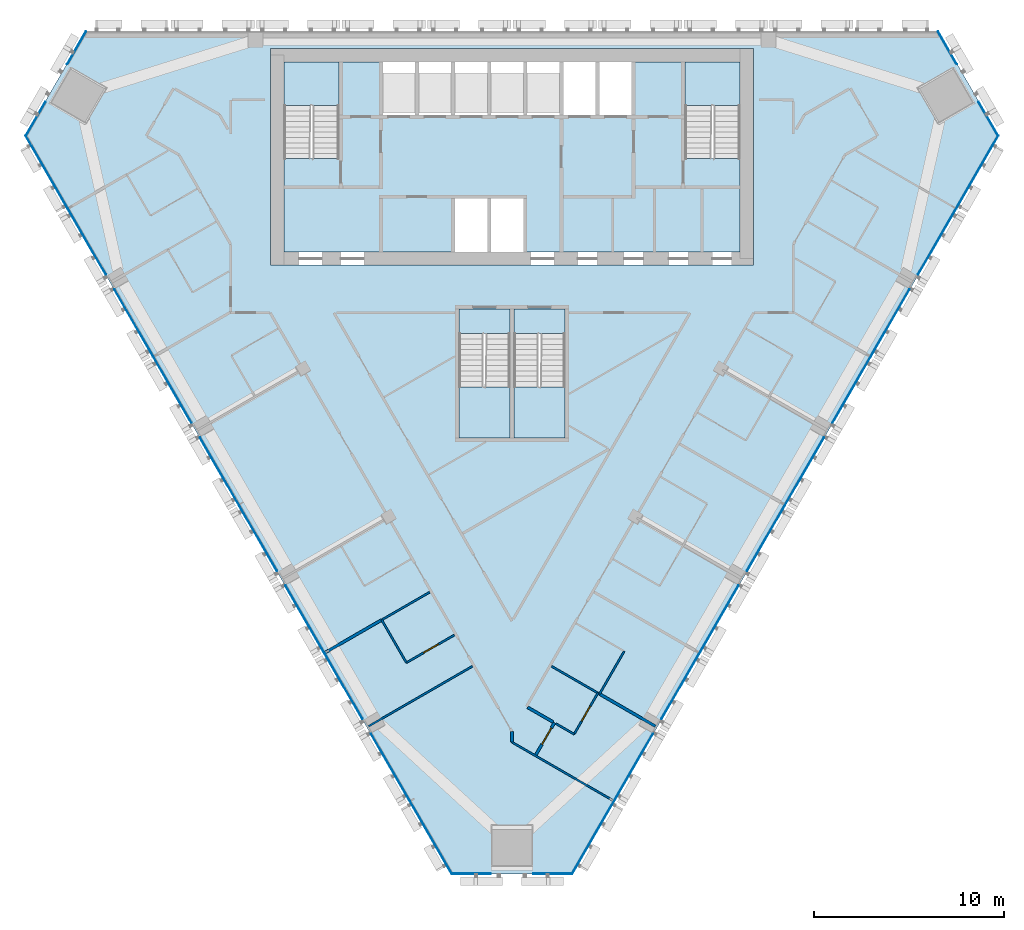
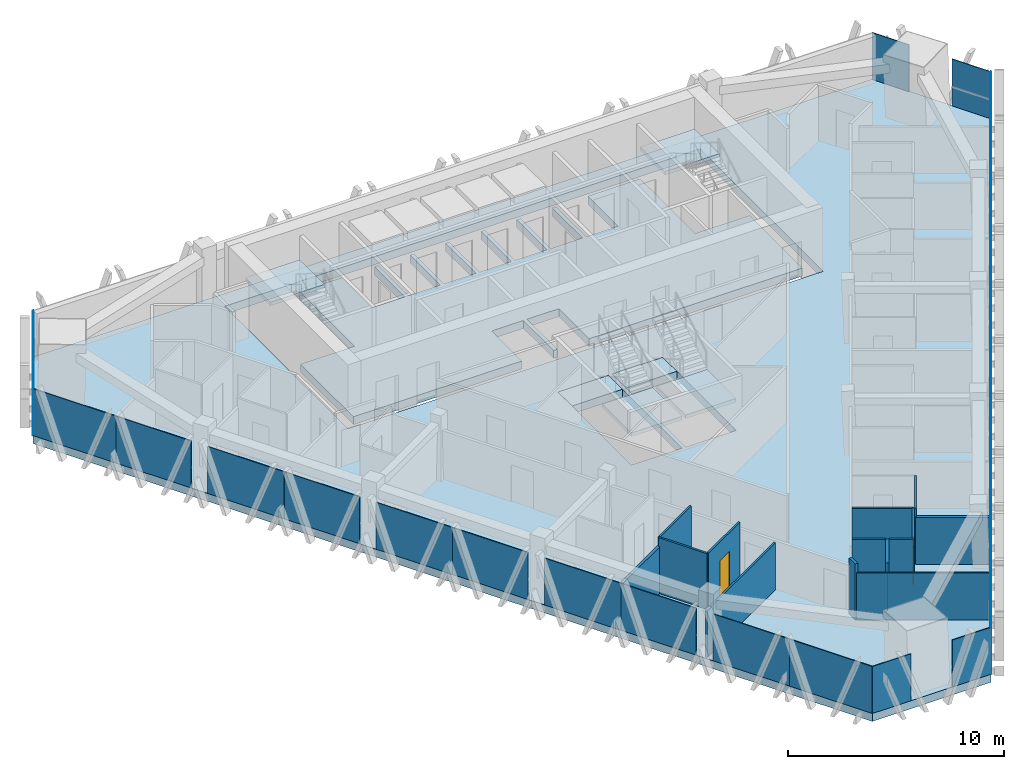
# One storey, part 8 of 16: 26 plates, 14 walls, 8 slabs, 3 doors, 3 openings, 9 elements without a shape of their own.
"""IFC4 building model written with IfcOpenShell, lengths in metres."""

from ifc_helpers import new_model, si_unit, direction, frame, frame_2d, origin, origin_2d, place, context, subcontext, project, spatial, polyline, rectangle, outline, extrude, material, layer, layer_set, type_object, element, fill, aggregate, save


model = new_model("IFC4")

# Units and contexts
model_context = context("Model", 3, precision=1e-05, world=origin(), true_north=direction((0.0, 1.0)))
body_context = subcontext(model_context, "Body", "Model", "MODEL_VIEW")
ifc_project = project(units=[si_unit("LENGTHUNIT", "METRE"), si_unit("AREAUNIT", "SQUARE_METRE"), si_unit("VOLUMEUNIT", "CUBIC_METRE"), si_unit("PLANEANGLEUNIT", "RADIAN"), si_unit("MASSUNIT", "GRAM", prefix="KILO")], contexts=[model_context])

# Site, building, storey
site_placement = place(None, origin())
site = spatial("IfcSite", under=ifc_project, at=site_placement, CompositionType="ELEMENT")
building_placement = place(site_placement, origin())
building = spatial("IfcBuilding", under=site, at=building_placement, Name="Altiplano Prism Tower", CompositionType="ELEMENT")
storey_placement = place(building_placement, frame((0.0, 0.0, 198.0)))
storey = spatial("IfcBuildingStorey", under=building, at=storey_placement, Name="L51", CompositionType="ELEMENT", Elevation=198.0)

# Curtain wall, plates
ifc_material_1 = material(Name="Aluminium and glass", Category="aluminium")
ifc_layer_1 = layer(ifc_material_1, 0.280029296875)
ifc_layer_set_1 = layer_set([ifc_layer_1], Name="Aluminium and glass")
curtain_wall_type = type_object("IfcCurtainWallType", Name="CW1 typical co-living unitised curtain wall", PredefinedType="NOTDEFINED", material=ifc_layer_set_1)
curtain_wall_1_placement = place(storey_placement, origin())
curtain_wall_1 = element("IfcCurtainWall", 1, at=curtain_wall_1_placement, inside=storey, type_object=curtain_wall_type, Name="CW1 curtain wall north-west chamfer L51", PredefinedType="NOTDEFINED")
ifc_material_2 = material(Name="Clear glass", Category="glass")
ifc_layer_2 = layer(ifc_material_2, 0.0400390625)
ifc_layer_set_2 = layer_set([ifc_layer_2], Name="Clear glass")
plate_type = type_object("IfcPlateType", Name="CW1 insulated glass unit 40", PredefinedType="CURTAIN_PANEL", material=ifc_layer_set_2)
plate_1_placement = place(storey_placement, frame((62.089111328125, 104.12744140625, 0.0), z_axis=(0.0, 0.0, 1.0), x_axis=(-0.500000041748, -0.866025379681, 0.0)))
plate_1 = element("IfcPlate", 2, at=plate_1_placement, type_object=plate_type, Name="CW1 panel", PredefinedType="CURTAIN_PANEL", context=body_context, shape_type="SweptSolid", body=[
    extrude(rectangle(XDim=1.98193359375, YDim=0.0400390625, at=origin_2d()), origin(), (0.0, 0.0, 1.0), 2.64990234375),
])
plate_2_placement = place(storey_placement, frame((59.933349609375, 100.393310546875, 0.0), z_axis=(0.0, 0.0, 1.0), x_axis=(-0.500000041748, -0.866025379681, 0.0)))
plate_2 = element("IfcPlate", 3, at=plate_2_placement, type_object=plate_type, Name="CW1 panel", PredefinedType="CURTAIN_PANEL", context=body_context, shape_type="SweptSolid", body=[
    extrude(rectangle(XDim=2.06201171875, YDim=0.0400390625, at=origin_2d()), origin(), (0.0, 0.0, 1.0), 2.64990234375),
])
aggregate(curtain_wall_1, [plate_1, plate_2])

curtain_wall_2_placement = place(storey_placement, origin())
curtain_wall_2 = element("IfcCurtainWall", 4, at=curtain_wall_2_placement, inside=storey, type_object=curtain_wall_type, Name="CW1 curtain wall south-west face L51", PredefinedType="NOTDEFINED")
plate_3_placement = place(storey_placement, frame((60.522705078125, 97.59765625, 0.0), z_axis=(0.0, 0.0, 1.0), x_axis=(0.49999999081, -0.86602540909, 0.0)))
plate_3 = element("IfcPlate", 5, at=plate_3_placement, type_object=plate_type, Name="CW1 panel", PredefinedType="CURTAIN_PANEL", context=body_context, shape_type="SweptSolid", body=[
    extrude(rectangle(XDim=4.420166015625, YDim=0.0400390625, at=origin_2d()), origin(), (0.0, 0.0, 1.0), 2.64990234375),
])
plate_4_placement = place(storey_placement, frame((62.635498046875, 93.9384765625, 0.0), z_axis=(0.0, 0.0, 1.0), x_axis=(0.49999999081, -0.86602540909, 0.0)))
plate_4 = element("IfcPlate", 6, at=plate_4_placement, type_object=plate_type, Name="CW1 panel", PredefinedType="CURTAIN_PANEL", context=body_context, shape_type="SweptSolid", body=[
    extrude(rectangle(XDim=4.010498046875, YDim=0.0400390625, at=origin_2d()), origin(), (0.0, 0.0, 1.0), 2.64990234375),
])
plate_5_placement = place(storey_placement, frame((65.10546875, 89.66015625, 0.0), z_axis=(0.0, 0.0, 1.0), x_axis=(0.49999999081, -0.86602540909, 0.0)))
plate_5 = element("IfcPlate", 7, at=plate_5_placement, type_object=plate_type, Name="CW1 panel", PredefinedType="CURTAIN_PANEL", context=body_context, shape_type="SweptSolid", body=[
    extrude(rectangle(XDim=4.08935546875, YDim=0.0400390625, at=origin_2d()), origin(), (0.0, 0.0, 1.0), 2.64990234375),
])
plate_6_placement = place(storey_placement, frame((67.135498046875, 86.144287109375, 0.0), z_axis=(0.0, 0.0, 1.0), x_axis=(0.49999999081, -0.86602540909, 0.0)))
plate_6 = element("IfcPlate", 8, at=plate_6_placement, type_object=plate_type, Name="CW1 panel", PredefinedType="CURTAIN_PANEL", context=body_context, shape_type="SweptSolid", body=[
    extrude(rectangle(XDim=4.010498046875, YDim=0.0400390625, at=origin_2d()), origin(), (0.0, 0.0, 1.0), 2.64990234375),
])
plate_7_placement = place(storey_placement, frame((69.60546875, 81.865966796875, 0.0), z_axis=(0.0, 0.0, 1.0), x_axis=(0.49999999081, -0.86602540909, 0.0)))
plate_7 = element("IfcPlate", 9, at=plate_7_placement, type_object=plate_type, Name="CW1 panel", PredefinedType="CURTAIN_PANEL", context=body_context, shape_type="SweptSolid", body=[
    extrude(rectangle(XDim=4.08935546875, YDim=0.0400390625, at=origin_2d()), origin(), (0.0, 0.0, 1.0), 2.64990234375),
])
plate_8_placement = place(storey_placement, frame((71.635498046875, 78.35009765625, 0.0), z_axis=(0.0, 0.0, 1.0), x_axis=(0.49999999081, -0.86602540909, 0.0)))
plate_8 = element("IfcPlate", 10, at=plate_8_placement, type_object=plate_type, Name="CW1 panel", PredefinedType="CURTAIN_PANEL", context=body_context, shape_type="SweptSolid", body=[
    extrude(rectangle(XDim=4.010498046875, YDim=0.0400390625, at=origin_2d()), origin(), (0.0, 0.0, 1.0), 2.64990234375),
])
plate_9_placement = place(storey_placement, frame((74.10546875, 74.07177734375, 0.0), z_axis=(0.0, 0.0, 1.0), x_axis=(0.49999999081, -0.86602540909, 0.0)))
plate_9 = element("IfcPlate", 11, at=plate_9_placement, type_object=plate_type, Name="CW1 panel", PredefinedType="CURTAIN_PANEL", context=body_context, shape_type="SweptSolid", body=[
    extrude(rectangle(XDim=4.08935546875, YDim=0.0400390625, at=origin_2d()), origin(), (0.0, 0.0, 1.0), 2.64990234375),
])
plate_10_placement = place(storey_placement, frame((76.135498046875, 70.555908203125, 0.0), z_axis=(0.0, 0.0, 1.0), x_axis=(0.49999999081, -0.86602540909, 0.0)))
plate_10 = element("IfcPlate", 12, at=plate_10_placement, type_object=plate_type, Name="CW1 panel", PredefinedType="CURTAIN_PANEL", context=body_context, shape_type="SweptSolid", body=[
    extrude(rectangle(XDim=4.010498046875, YDim=0.0400390625, at=origin_2d()), origin(), (0.0, 0.0, 1.0), 2.64990234375),
])
plate_11_placement = place(storey_placement, frame((78.60546875, 66.277587890625, 0.0), z_axis=(0.0, 0.0, 1.0), x_axis=(0.49999999081, -0.86602540909, 0.0)))
plate_11 = element("IfcPlate", 13, at=plate_11_placement, type_object=plate_type, Name="CW1 panel", PredefinedType="CURTAIN_PANEL", context=body_context, shape_type="SweptSolid", body=[
    extrude(rectangle(XDim=4.08935546875, YDim=0.0400390625, at=origin_2d()), origin(), (0.0, 0.0, 1.0), 2.64990234375),
])
plate_12_placement = place(storey_placement, frame((80.73779296875, 62.584228515625, 0.0), z_axis=(0.0, 0.0, 1.0), x_axis=(0.49999999081, -0.86602540909, 0.0)))
plate_12 = element("IfcPlate", 14, at=plate_12_placement, type_object=plate_type, Name="CW1 panel", PredefinedType="CURTAIN_PANEL", context=body_context, shape_type="SweptSolid", body=[
    extrude(rectangle(XDim=4.420166015625, YDim=0.0400390625, at=origin_2d()), origin(), (0.0, 0.0, 1.0), 2.64990234375),
])
aggregate(curtain_wall_2, [plate_3, plate_4, plate_5, plate_6, plate_7, plate_8, plate_9, plate_10, plate_11, plate_12])

curtain_wall_3_placement = place(storey_placement, origin())
curtain_wall_3 = element("IfcCurtainWall", 15, at=curtain_wall_3_placement, inside=storey, type_object=curtain_wall_type, Name="CW1 curtain wall south chamfer L51", PredefinedType="NOTDEFINED")
plate_13_placement = place(storey_placement, frame((82.864013671875, 60.67578125, 0.0), z_axis=(0.0, 0.0, 1.0), x_axis=(1.0, 0.0, 0.0)))
plate_13 = element("IfcPlate", 16, at=plate_13_placement, type_object=plate_type, Name="CW1 panel", PredefinedType="CURTAIN_PANEL", context=body_context, shape_type="SweptSolid", body=[
    extrude(rectangle(XDim=2.06201171875, YDim=0.0400390625, at=origin_2d()), origin(), (0.0, 0.0, 1.0), 2.64990234375),
])
plate_14_placement = place(storey_placement, frame((87.135986328125, 60.67578125, 0.0), z_axis=(0.0, 0.0, 1.0), x_axis=(1.0, 0.0, 0.0)))
plate_14 = element("IfcPlate", 17, at=plate_14_placement, type_object=plate_type, Name="CW1 panel", PredefinedType="CURTAIN_PANEL", context=body_context, shape_type="SweptSolid", body=[
    extrude(rectangle(XDim=2.06201171875, YDim=0.0400390625, at=origin_2d()), origin(), (0.0, 0.0, 1.0), 2.64990234375),
])
aggregate(curtain_wall_3, [plate_13, plate_14])

curtain_wall_4_placement = place(storey_placement, origin())
curtain_wall_4 = element("IfcCurtainWall", 18, at=curtain_wall_4_placement, inside=storey, type_object=curtain_wall_type, Name="CW1 curtain wall south-east face L51", PredefinedType="NOTDEFINED")
plate_15_placement = place(storey_placement, frame((89.26220703125, 62.584228515625, 0.0), z_axis=(0.0, 0.0, 1.0), x_axis=(0.49999999081, 0.86602540909, 0.0)))
plate_15 = element("IfcPlate", 19, at=plate_15_placement, type_object=plate_type, Name="CW1 panel", PredefinedType="CURTAIN_PANEL", context=body_context, shape_type="SweptSolid", body=[
    extrude(rectangle(XDim=4.420166015625, YDim=0.0400390625, at=origin_2d()), origin(), (0.0, 0.0, 1.0), 2.64990234375),
])
plate_16_placement = place(storey_placement, frame((91.39453125, 66.277587890625, 0.0), z_axis=(0.0, 0.0, 1.0), x_axis=(0.49999999081, 0.86602540909, 0.0)))
plate_16 = element("IfcPlate", 20, at=plate_16_placement, type_object=plate_type, Name="CW1 panel", PredefinedType="CURTAIN_PANEL", context=body_context, shape_type="SweptSolid", body=[
    extrude(rectangle(XDim=4.08935546875, YDim=0.0400390625, at=origin_2d()), origin(), (0.0, 0.0, 1.0), 2.64990234375),
])
plate_17_placement = place(storey_placement, frame((93.864501953125, 70.555908203125, 0.0), z_axis=(0.0, 0.0, 1.0), x_axis=(0.49999999081, 0.86602540909, 0.0)))
plate_17 = element("IfcPlate", 21, at=plate_17_placement, type_object=plate_type, Name="CW1 panel", PredefinedType="CURTAIN_PANEL", context=body_context, shape_type="SweptSolid", body=[
    extrude(rectangle(XDim=4.010498046875, YDim=0.0400390625, at=origin_2d()), origin(), (0.0, 0.0, 1.0), 2.64990234375),
])
plate_18_placement = place(storey_placement, frame((95.89453125, 74.07177734375, 0.0), z_axis=(0.0, 0.0, 1.0), x_axis=(0.49999999081, 0.86602540909, 0.0)))
plate_18 = element("IfcPlate", 22, at=plate_18_placement, type_object=plate_type, Name="CW1 panel", PredefinedType="CURTAIN_PANEL", context=body_context, shape_type="SweptSolid", body=[
    extrude(rectangle(XDim=4.08935546875, YDim=0.0400390625, at=origin_2d()), origin(), (0.0, 0.0, 1.0), 2.64990234375),
])
plate_19_placement = place(storey_placement, frame((98.364501953125, 78.35009765625, 0.0), z_axis=(0.0, 0.0, 1.0), x_axis=(0.49999999081, 0.86602540909, 0.0)))
plate_19 = element("IfcPlate", 23, at=plate_19_placement, type_object=plate_type, Name="CW1 panel", PredefinedType="CURTAIN_PANEL", context=body_context, shape_type="SweptSolid", body=[
    extrude(rectangle(XDim=4.010498046875, YDim=0.0400390625, at=origin_2d()), origin(), (0.0, 0.0, 1.0), 2.64990234375),
])
plate_20_placement = place(storey_placement, frame((100.39453125, 81.865966796875, 0.0), z_axis=(0.0, 0.0, 1.0), x_axis=(0.49999999081, 0.86602540909, 0.0)))
plate_20 = element("IfcPlate", 24, at=plate_20_placement, type_object=plate_type, Name="CW1 panel", PredefinedType="CURTAIN_PANEL", context=body_context, shape_type="SweptSolid", body=[
    extrude(rectangle(XDim=4.08935546875, YDim=0.0400390625, at=origin_2d()), origin(), (0.0, 0.0, 1.0), 2.64990234375),
])
plate_21_placement = place(storey_placement, frame((102.864501953125, 86.144287109375, 0.0), z_axis=(0.0, 0.0, 1.0), x_axis=(0.49999999081, 0.86602540909, 0.0)))
plate_21 = element("IfcPlate", 25, at=plate_21_placement, type_object=plate_type, Name="CW1 panel", PredefinedType="CURTAIN_PANEL", context=body_context, shape_type="SweptSolid", body=[
    extrude(rectangle(XDim=4.010498046875, YDim=0.0400390625, at=origin_2d()), origin(), (0.0, 0.0, 1.0), 2.64990234375),
])
plate_22_placement = place(storey_placement, frame((104.89453125, 89.66015625, 0.0), z_axis=(0.0, 0.0, 1.0), x_axis=(0.49999999081, 0.86602540909, 0.0)))
plate_22 = element("IfcPlate", 26, at=plate_22_placement, type_object=plate_type, Name="CW1 panel", PredefinedType="CURTAIN_PANEL", context=body_context, shape_type="SweptSolid", body=[
    extrude(rectangle(XDim=4.08935546875, YDim=0.0400390625, at=origin_2d()), origin(), (0.0, 0.0, 1.0), 2.64990234375),
])
plate_23_placement = place(storey_placement, frame((107.364501953125, 93.9384765625, 0.0), z_axis=(0.0, 0.0, 1.0), x_axis=(0.49999999081, 0.86602540909, 0.0)))
plate_23 = element("IfcPlate", 27, at=plate_23_placement, type_object=plate_type, Name="CW1 panel", PredefinedType="CURTAIN_PANEL", context=body_context, shape_type="SweptSolid", body=[
    extrude(rectangle(XDim=4.010498046875, YDim=0.0400390625, at=origin_2d()), origin(), (0.0, 0.0, 1.0), 2.64990234375),
])
plate_24_placement = place(storey_placement, frame((109.477294921875, 97.59765625, 0.0), z_axis=(0.0, 0.0, 1.0), x_axis=(0.49999999081, 0.86602540909, 0.0)))
plate_24 = element("IfcPlate", 28, at=plate_24_placement, type_object=plate_type, Name="CW1 panel", PredefinedType="CURTAIN_PANEL", context=body_context, shape_type="SweptSolid", body=[
    extrude(rectangle(XDim=4.420166015625, YDim=0.0400390625, at=origin_2d()), origin(), (0.0, 0.0, 1.0), 2.64990234375),
])
aggregate(curtain_wall_4, [plate_15, plate_16, plate_17, plate_18, plate_19, plate_20, plate_21, plate_22, plate_23, plate_24])

curtain_wall_5_placement = place(storey_placement, origin())
curtain_wall_5 = element("IfcCurtainWall", 29, at=curtain_wall_5_placement, inside=storey, type_object=curtain_wall_type, Name="CW1 curtain wall north-east chamfer L51", PredefinedType="NOTDEFINED")
plate_25_placement = place(storey_placement, frame((110.066650390625, 100.393310546875, 0.0), z_axis=(0.0, 0.0, 1.0), x_axis=(-0.500000041748, 0.866025379681, 0.0)))
plate_25 = element("IfcPlate", 30, at=plate_25_placement, type_object=plate_type, Name="CW1 panel", PredefinedType="CURTAIN_PANEL", context=body_context, shape_type="SweptSolid", body=[
    extrude(rectangle(XDim=2.06201171875, YDim=0.0400390625, at=origin_2d()), origin(), (0.0, 0.0, 1.0), 2.64990234375),
])
plate_26_placement = place(storey_placement, frame((107.910888671875, 104.12744140625, 0.0), z_axis=(0.0, 0.0, 1.0), x_axis=(-0.500000041748, 0.866025379681, 0.0)))
plate_26 = element("IfcPlate", 31, at=plate_26_placement, type_object=plate_type, Name="CW1 panel", PredefinedType="CURTAIN_PANEL", context=body_context, shape_type="SweptSolid", body=[
    extrude(rectangle(XDim=1.98193359375, YDim=0.0400390625, at=origin_2d()), origin(), (0.0, 0.0, 1.0), 2.64990234375),
])
aggregate(curtain_wall_5, [plate_25, plate_26])

# Slabs
ifc_material_3 = material(Name="Concrete C40/50", Category="concrete")
ifc_layer_3 = layer(ifc_material_3, 0.449951171875)
ifc_layer_set_3 = layer_set([ifc_layer_3], Name="Concrete C40/50")
slab_type_1 = type_object("IfcSlabType", Name="Core floor slab 450", PredefinedType="FLOOR", material=ifc_layer_set_3)
slab_1_placement = place(storey_placement, frame((0.0, 0.0, -0.449951171875)))
element("IfcSlab", 32, at=slab_1_placement, inside=storey, type_object=slab_type_1, Name="Core floor slab L51", PredefinedType="FLOOR", context=body_context, shape_type="SweptSolid", body=[
    extrude(outline(polyline([(97.0, 98.31005859375), (94.10009765625, 98.31005859375), (94.10009765625, 103.39990234375), (91.300048828125, 103.39990234375), (91.300048828125, 100.60009765625), (89.60009765625, 100.60009765625), (89.60009765625, 103.39990234375), (89.39990234375, 103.39990234375), (89.39990234375, 100.60009765625), (87.699951171875, 100.60009765625), (87.699951171875, 103.39990234375), (87.5, 103.39990234375), (87.5, 100.60009765625), (85.800048828125, 100.60009765625), (85.800048828125, 103.39990234375), (85.60009765625, 103.39990234375), (85.60009765625, 100.60009765625), (83.89990234375, 100.60009765625), (83.89990234375, 103.39990234375), (83.699951171875, 103.39990234375), (83.699951171875, 100.60009765625), (82.0, 100.60009765625), (82.0, 103.39990234375), (81.800048828125, 103.39990234375), (81.800048828125, 100.60009765625), (80.10009765625, 100.60009765625), (80.10009765625, 103.39990234375), (79.89990234375, 103.39990234375), (79.89990234375, 100.60009765625), (78.199951171875, 100.60009765625), (78.199951171875, 103.39990234375), (75.89990234375, 103.39990234375), (75.89990234375, 98.31005859375), (73.0, 98.31005859375), (73.0, 93.39990234375), (82.0, 93.39990234375), (82.0, 96.199951171875), (83.699951171875, 96.199951171875), (83.699951171875, 93.39990234375), (83.89990234375, 93.39990234375), (83.89990234375, 96.199951171875), (85.60009765625, 96.199951171875), (85.60009765625, 93.39990234375), (97.0, 93.39990234375), (97.0, 98.31005859375)])), origin(), (0.0, 0.0, 1.0), 0.449951171875),
])
slab_2_placement = place(storey_placement, frame((0.0, 0.0, -0.449951171875)))
element("IfcSlab", 33, at=slab_2_placement, inside=storey, type_object=slab_type_1, Name="Stair 3A landing slab L51", PredefinedType="FLOOR", context=body_context, shape_type="SweptSolid", body=[
    extrude(outline(polyline([(82.199951171875, 89.096923828125), (84.89990234375, 89.096923828125), (84.89990234375, 90.39990234375), (82.199951171875, 90.39990234375), (82.199951171875, 89.096923828125)])), origin(), (0.0, 0.0, 1.0), 0.449951171875),
])
slab_3_placement = place(storey_placement, frame((0.0, 0.0, -0.449951171875)))
element("IfcSlab", 34, at=slab_3_placement, inside=storey, type_object=slab_type_1, Name="Stair 3B landing slab L51", PredefinedType="FLOOR", context=body_context, shape_type="SweptSolid", body=[
    extrude(outline(polyline([(85.10009765625, 89.096923828125), (87.800048828125, 89.096923828125), (87.800048828125, 90.39990234375), (85.10009765625, 90.39990234375), (85.10009765625, 89.096923828125)])), origin(), (0.0, 0.0, 1.0), 0.449951171875),
])
ifc_layer_4 = layer(ifc_material_3, 0.449951171875)
ifc_layer_set_4 = layer_set([ifc_layer_4], Name="Concrete C40/50")
slab_type_2 = type_object("IfcSlabType", Name="Post-tensioned flat slab 450", PredefinedType="FLOOR", material=ifc_layer_set_4)
slab_4_placement = place(storey_placement, frame((0.0, 0.0, -0.449951171875)))
element("IfcSlab", 35, at=slab_4_placement, inside=storey, type_object=slab_type_2, Name="Floor slab L51", PredefinedType="FLOOR", context=body_context, shape_type="SweptSolid", body=[
    extrude(outline(polyline([(81.828125, 60.65576171875), (59.39794921875, 99.506103515625), (62.56982421875, 105.0), (107.43017578125, 105.0), (110.60205078125, 99.506103515625), (88.171875, 60.65576171875), (81.828125, 60.65576171875)]), holes=[polyline([(72.300048828125, 104.10009765625), (72.300048828125, 92.699951171875), (97.699951171875, 92.699951171875), (97.699951171875, 104.10009765625), (72.300048828125, 104.10009765625)]), polyline([(84.89990234375, 90.39990234375), (82.199951171875, 90.39990234375), (82.199951171875, 83.60009765625), (84.89990234375, 83.60009765625), (84.89990234375, 90.39990234375)]), polyline([(87.800048828125, 83.60009765625), (87.800048828125, 90.39990234375), (85.10009765625, 90.39990234375), (85.10009765625, 83.60009765625), (87.800048828125, 83.60009765625)])]), origin(), (0.0, 0.0, 1.0), 0.449951171875),
])

# Stair, slab
stair_type_1 = type_object("IfcStairType", Name="Exit stair 1400", PredefinedType="HALF_TURN_STAIR", material=ifc_material_3)
stair_1_placement = place(storey_placement, origin())
stair_1 = element("IfcStair", 36, at=stair_1_placement, inside=storey, type_object=stair_type_1, Name="L51 Exit Stair 1", PredefinedType="HALF_TURN_STAIR")
ifc_layer_5 = layer(ifc_material_3, 0.199951171875)
ifc_layer_set_5 = layer_set([ifc_layer_5], Name="Concrete C40/50")
slab_type_3 = type_object("IfcSlabType", Name="Stair landing 200", PredefinedType="LANDING", material=ifc_layer_set_5)
slab_5_placement = place(storey_placement, frame((0.0, 0.0, 1.60009765625)))
slab_5 = element("IfcSlab", 37, at=slab_5_placement, type_object=slab_type_3, Name="ST1 landing 1", PredefinedType="LANDING", context=body_context, shape_type="SweptSolid", body=[
    extrude(outline(polyline([(75.89990234375, 101.096923828125), (75.89990234375, 103.39990234375), (73.0, 103.39990234375), (73.0, 101.096923828125), (75.89990234375, 101.096923828125)])), origin(), (0.0, 0.0, 1.0), 0.199951171875),
])
aggregate(stair_1, [slab_5])

stair_2_placement = place(storey_placement, origin())
stair_2 = element("IfcStair", 38, at=stair_2_placement, inside=storey, type_object=stair_type_1, Name="L51 Exit Stair 2", PredefinedType="HALF_TURN_STAIR")
slab_6_placement = place(storey_placement, frame((0.0, 0.0, 1.60009765625)))
slab_6 = element("IfcSlab", 39, at=slab_6_placement, type_object=slab_type_3, Name="ST2 landing 1", PredefinedType="LANDING", context=body_context, shape_type="SweptSolid", body=[
    extrude(outline(polyline([(97.0, 101.096923828125), (97.0, 103.39990234375), (94.10009765625, 103.39990234375), (94.10009765625, 101.096923828125), (97.0, 101.096923828125)])), origin(), (0.0, 0.0, 1.0), 0.199951171875),
])
aggregate(stair_2, [slab_6])

stair_type_2 = type_object("IfcStairType", Name="Exit stair 1300", PredefinedType="HALF_TURN_STAIR", material=ifc_material_3)
stair_3_placement = place(storey_placement, origin())
stair_3 = element("IfcStair", 40, at=stair_3_placement, inside=storey, type_object=stair_type_2, Name="L51 Exit Stair 3A", PredefinedType="HALF_TURN_STAIR")
slab_7_placement = place(storey_placement, frame((0.0, 0.0, 1.60009765625)))
slab_7 = element("IfcSlab", 41, at=slab_7_placement, type_object=slab_type_3, Name="ST3A landing 1", PredefinedType="LANDING", context=body_context, shape_type="SweptSolid", body=[
    extrude(outline(polyline([(82.199951171875, 86.302978515625), (82.199951171875, 83.60009765625), (84.89990234375, 83.60009765625), (84.89990234375, 86.302978515625), (82.199951171875, 86.302978515625)])), origin(), (0.0, 0.0, 1.0), 0.199951171875),
])
aggregate(stair_3, [slab_7])

stair_4_placement = place(storey_placement, origin())
stair_4 = element("IfcStair", 42, at=stair_4_placement, inside=storey, type_object=stair_type_2, Name="L51 Exit Stair 3B", PredefinedType="HALF_TURN_STAIR")
slab_8_placement = place(storey_placement, frame((0.0, 0.0, 1.60009765625)))
slab_8 = element("IfcSlab", 43, at=slab_8_placement, type_object=slab_type_3, Name="ST3B landing 1", PredefinedType="LANDING", context=body_context, shape_type="SweptSolid", body=[
    extrude(outline(polyline([(85.10009765625, 86.302978515625), (85.10009765625, 83.60009765625), (87.800048828125, 83.60009765625), (87.800048828125, 86.302978515625), (85.10009765625, 86.302978515625)])), origin(), (0.0, 0.0, 1.0), 0.199951171875),
])
aggregate(stair_4, [slab_8])

# Wall, opening, door
ifc_material_4 = material(Name="Plasterboard on steel stud", Category="steel")
ifc_layer_6 = layer(ifc_material_4, 0.10009765625)
ifc_layer_set_6 = layer_set([ifc_layer_6], Name="Plasterboard on steel stud")
wall_type_1 = type_object("IfcWallType", Name="Partition 100 unit", PredefinedType="PARTITIONING", material=ifc_layer_set_6)
wall_1_placement = place(storey_placement, frame((81.977294921875, 73.24755859375, 0.0), z_axis=(0.0, 0.0, 1.0), x_axis=(-0.866046596414, -0.499963291492, 0.0)))
wall_1 = element("IfcWall", 44, at=wall_1_placement, inside=storey, type_object=wall_type_1, Name="Partition P02 L51 049", PredefinedType="PARTITIONING", context=body_context, shape_type="SweptSolid", body=[
    extrude(rectangle(XDim=2.925048828125, YDim=0.10009765625, at=frame_2d((1.46240234375, 0.0))), origin(), (0.0, 0.0, 1.0), 3.14990234375),
])
opening_1_placement = place(wall_1_placement, frame((0.97509765625, 0.0, 0.0)))
opening_1 = element("IfcOpeningElement", 45, at=opening_1_placement, cuts=wall_1, Name="Opening D1788", PredefinedType="OPENING", context=body_context, shape_type="SweptSolid", body=[
    extrude(rectangle(XDim=0.89990234375, YDim=2.10009765625, at=frame_2d((0.449951171875, 1.050048828125))), frame((0.0, 0.060546875, 0.0), z_axis=(0.0, -1.0, 0.0), x_axis=(1.0, 0.0, 0.0)), (0.0, 0.0, 1.0), 0.12109375),
])
ifc_material_5 = material(Name="Timber", Category="wood")
door_type_1 = type_object("IfcDoorType", Name="Ensuite door 900 x 2100", OperationType="NOTDEFINED", PredefinedType="NOTDEFINED", material=ifc_material_5)
door_1_placement = place(opening_1_placement, origin())
door_1 = element("IfcDoor", 46, at=door_1_placement, inside=storey, type_object=door_type_1, Name="Door D1788", OperationType="SINGLE_SWING_LEFT", OverallHeight=2.10009765625, OverallWidth=0.89990234375, PredefinedType="NOTDEFINED", context=body_context, shape_type="SweptSolid", body=[
    extrude(rectangle(XDim=0.89990234375, YDim=2.10009765625, at=frame_2d((0.449951171875, 1.050048828125))), frame((0.0, 0.02490234375, 0.0), z_axis=(0.0, -1.0, 0.0), x_axis=(1.0, 0.0, 0.0)), (0.0, 0.0, 1.0), 0.050048828125),
])
fill(opening_1, door_1)

# Wall
wall_2_placement = place(storey_placement, frame((79.444091796875, 71.78515625, 0.0), z_axis=(0.0, 0.0, 1.0), x_axis=(-0.500047596559, 0.865997922154, 0.0)))
element("IfcWall", 47, at=wall_2_placement, inside=storey, type_object=wall_type_1, Name="Partition P02 L51 050", PredefinedType="PARTITIONING", context=body_context, shape_type="SweptSolid", body=[
    extrude(rectangle(XDim=2.599853515625, YDim=0.10009765625, at=frame_2d((1.2998046875, 0.0))), origin(), (0.0, 0.0, 1.0), 3.14990234375),
])

# Wall, opening, door
wall_3_placement = place(storey_placement, frame((89.519287109375, 70.189697265625, 0.0), z_axis=(0.0, 0.0, 1.0), x_axis=(-0.499961950354, -0.866047370643, 0.0)))
wall_3 = element("IfcWall", 48, at=wall_3_placement, inside=storey, type_object=wall_type_1, Name="Partition P02 L51 053", PredefinedType="PARTITIONING", context=body_context, shape_type="SweptSolid", body=[
    extrude(rectangle(XDim=2.500244140625, YDim=0.10009765625, at=frame_2d((1.25, 0.0))), origin(), (0.0, 0.0, 1.0), 3.14990234375),
])
opening_2_placement = place(wall_3_placement, frame((0.800048828125, 0.0, 0.0)))
opening_2 = element("IfcOpeningElement", 49, at=opening_2_placement, cuts=wall_3, Name="Opening D1791", PredefinedType="OPENING", context=body_context, shape_type="SweptSolid", body=[
    extrude(rectangle(XDim=0.89990234375, YDim=2.10009765625, at=frame_2d((0.449951171875, 1.050048828125))), frame((0.0, 0.060546875, 0.0), z_axis=(0.0, -1.0, 0.0), x_axis=(1.0, 0.0, 0.0)), (0.0, 0.0, 1.0), 0.12109375),
])
door_2_placement = place(opening_2_placement, origin())
door_2 = element("IfcDoor", 50, at=door_2_placement, inside=storey, type_object=door_type_1, Name="Door D1791", OperationType="SINGLE_SWING_LEFT", OverallHeight=2.10009765625, OverallWidth=0.89990234375, PredefinedType="NOTDEFINED", context=body_context, shape_type="SweptSolid", body=[
    extrude(rectangle(XDim=0.89990234375, YDim=2.10009765625, at=frame_2d((0.449951171875, 1.050048828125))), frame((0.0, 0.02490234375, 0.0), z_axis=(0.0, -1.0, 0.0), x_axis=(1.0, 0.0, 0.0)), (0.0, 0.0, 1.0), 0.050048828125),
])
fill(opening_2, door_2)

# Walls
wall_4_placement = place(storey_placement, frame((88.269287109375, 68.0244140625, 0.0), z_axis=(0.0, 0.0, 1.0), x_axis=(-0.86599040064, 0.500060622324, 0.0)))
element("IfcWall", 51, at=wall_4_placement, inside=storey, type_object=wall_type_1, Name="Partition P02 L51 054", PredefinedType="PARTITIONING", context=body_context, shape_type="SweptSolid", body=[
    extrude(rectangle(XDim=1.124755859375, YDim=0.10009765625, at=frame_2d((0.5625, 0.0))), origin(), (0.0, 0.0, 1.0), 3.14990234375),
])
wall_5_placement = place(storey_placement, frame((90.906005859375, 72.391357421875, 0.0), z_axis=(0.0, 0.0, 1.0), x_axis=(-0.500006934395, -0.866021400173, 0.0)))
element("IfcWall", 52, at=wall_5_placement, inside=storey, type_object=wall_type_1, Name="Partition P02 L51 058", PredefinedType="PARTITIONING", context=body_context, shape_type="SweptSolid", body=[
    extrude(rectangle(XDim=2.60009765625, YDim=0.10009765625, at=frame_2d((1.300048828125, 0.0))), origin(), (0.0, 0.0, 1.0), 3.14990234375),
])
ifc_layer_7 = layer(ifc_material_4, 0.10009765625)
ifc_layer_set_7 = layer_set([ifc_layer_7], Name="Plasterboard on steel stud")
wall_type_2 = type_object("IfcWallType", Name="Partition 100 wet", PredefinedType="PARTITIONING", material=ifc_layer_set_7)
wall_6_placement = place(storey_placement, frame((78.14404296875, 74.03662109375, 0.0), z_axis=(0.0, 0.0, 1.0), x_axis=(0.86601045545, 0.500025890382, 0.0)))
element("IfcWall", 53, at=wall_6_placement, inside=storey, type_object=wall_type_2, Name="Partition P03 L51 048", PredefinedType="PARTITIONING", context=body_context, shape_type="SweptSolid", body=[
    extrude(rectangle(XDim=2.925048828125, YDim=0.10009765625, at=frame_2d((1.46240234375, 0.0))), origin(), (0.0, 0.0, 1.0), 3.14990234375),
])
wall_7_placement = place(storey_placement, frame((77.449462890625, 68.439697265625, 0.0), z_axis=(0.0, 0.0, 1.0), x_axis=(0.866042250622, 0.499970819286, 0.0)))
element("IfcWall", 54, at=wall_7_placement, inside=storey, type_object=wall_type_2, Name="Partition P03 L51 051", PredefinedType="PARTITIONING", context=body_context, shape_type="SweptSolid", body=[
    extrude(rectangle(XDim=6.3251953125, YDim=0.10009765625, at=frame_2d((3.16259765625, 0.0))), origin(), (0.0, 0.0, 1.0), 2.64990234375),
])
wall_8_placement = place(storey_placement, frame((90.31787109375, 64.532470703125, 0.0), z_axis=(0.0, 0.0, 1.0), x_axis=(-0.866022710561, 0.50000466477, 0.0)))
element("IfcWall", 55, at=wall_8_placement, inside=storey, type_object=wall_type_2, Name="Partition P03 L51 052", PredefinedType="PARTITIONING", context=body_context, shape_type="SweptSolid", body=[
    extrude(rectangle(XDim=6.140625, YDim=0.10009765625, at=frame_2d((3.0703125, 0.0))), origin(), (0.0, 0.0, 1.0), 2.64990234375),
])
wall_9_placement = place(storey_placement, frame((89.53662109375, 70.1796875, 0.0), z_axis=(0.0, 0.0, 1.0), x_axis=(-0.866048401274, 0.499960165064, 0.0)))
element("IfcWall", 56, at=wall_9_placement, inside=storey, type_object=wall_type_2, Name="Partition P03 L51 056", PredefinedType="PARTITIONING", context=body_context, shape_type="SweptSolid", body=[
    extrude(rectangle(XDim=2.844970703125, YDim=0.10009765625, at=frame_2d((1.42236328125, 0.0))), origin(), (0.0, 0.0, 1.0), 3.14990234375),
])
ifc_layer_8 = layer(ifc_material_4, 0.14990234375)
ifc_layer_set_8 = layer_set([ifc_layer_8], Name="Plasterboard on steel stud")
wall_type_3 = type_object("IfcWallType", Name="Partition 150 corridor", PredefinedType="PARTITIONING", material=ifc_layer_set_8)
wall_10_placement = place(storey_placement, frame((85.0, 68.161865234375, 0.0), z_axis=(0.0, 0.0, 1.0), x_axis=(0.0, -1.0, 0.0)))
element("IfcWall", 57, at=wall_10_placement, inside=storey, type_object=wall_type_3, Name="Partition P06 L51 008", PredefinedType="PARTITIONING", context=body_context, shape_type="SweptSolid", body=[
    extrude(rectangle(XDim=0.55908203125, YDim=0.14990234375, at=frame_2d((0.279541015625, 0.0))), origin(), (0.0, 0.0, 1.0), 3.14990234375),
])

# Wall, opening, door
wall_11_placement = place(storey_placement, frame((86.255126953125, 66.935791015625, 0.0), z_axis=(0.0, 0.0, 1.0), x_axis=(0.500043961785, 0.866000020948, 0.0)))
wall_11 = element("IfcWall", 58, at=wall_11_placement, inside=storey, type_object=wall_type_3, Name="Partition P06 L51 009", PredefinedType="PARTITIONING", context=body_context, shape_type="SweptSolid", body=[
    extrude(rectangle(XDim=1.949951171875, YDim=0.14990234375, at=frame_2d((0.97509765625, 0.0))), origin(), (0.0, 0.0, 1.0), 3.14990234375),
])
opening_3_placement = place(wall_11_placement, frame((0.638916015625, 0.0, 0.0)))
opening_3 = element("IfcOpeningElement", 59, at=opening_3_placement, cuts=wall_11, Name="Opening D1790", PredefinedType="OPENING", context=body_context, shape_type="SweptSolid", body=[
    extrude(rectangle(XDim=1.0, YDim=2.10009765625, at=frame_2d((0.5, 1.050048828125))), frame((0.0, 0.08544921875, 0.0), z_axis=(0.0, -1.0, 0.0), x_axis=(1.0, 0.0, 0.0)), (0.0, 0.0, 1.0), 0.1708984375),
])
door_type_2 = type_object("IfcDoorType", Name="Bedroom entrance door 1000 x 2100", OperationType="NOTDEFINED", PredefinedType="NOTDEFINED", material=ifc_material_5)
door_3_placement = place(opening_3_placement, origin())
door_3 = element("IfcDoor", 60, at=door_3_placement, inside=storey, type_object=door_type_2, Name="Door D1790", OperationType="SINGLE_SWING_LEFT", OverallHeight=2.10009765625, OverallWidth=1.0, PredefinedType="NOTDEFINED", context=body_context, shape_type="SweptSolid", body=[
    extrude(rectangle(XDim=1.0, YDim=2.10009765625, at=frame_2d((0.5, 1.050048828125))), frame((0.0, 0.02490234375, 0.0), z_axis=(0.0, -1.0, 0.0), x_axis=(1.0, 0.0, 0.0)), (0.0, 0.0, 1.0), 0.050048828125),
])
fill(opening_3, door_3)

# Walls
wall_12_placement = place(storey_placement, frame((87.1650390625, 68.662109375, 0.0), z_axis=(0.0, 0.0, 1.0), x_axis=(-0.866043940782, 0.499967891604, 0.0)))
element("IfcWall", 61, at=wall_12_placement, inside=storey, type_object=wall_type_3, Name="Partition P06 L51 010", PredefinedType="PARTITIONING", context=body_context, shape_type="SweptSolid", body=[
    extrude(rectangle(XDim=1.5498046875, YDim=0.14990234375, at=frame_2d((0.77490234375, 0.0))), origin(), (0.0, 0.0, 1.0), 3.14990234375),
])
ifc_layer_9 = layer(ifc_material_4, 0.14990234375)
ifc_layer_set_9 = layer_set([ifc_layer_9], Name="Plasterboard on steel stud")
wall_type_4 = type_object("IfcWallType", Name="Partition 150 party", PredefinedType="PARTITIONING", material=ifc_layer_set_9)
wall_13_placement = place(storey_placement, frame((75.18212890625, 72.32666015625, 0.0), z_axis=(0.0, 0.0, 1.0), x_axis=(0.866038183914, 0.499977863513, 0.0)))
element("IfcWall", 62, at=wall_13_placement, inside=storey, type_object=wall_type_4, Name="Partition P01 L51 047", PredefinedType="PARTITIONING", context=body_context, shape_type="SweptSolid", body=[
    extrude(rectangle(XDim=3.420166015625, YDim=0.14990234375, at=frame_2d((1.7099609375, 0.0))), origin(), (0.0, 0.0, 1.0), 2.64990234375),
])
wall_14_placement = place(storey_placement, frame((92.550537109375, 68.439697265625, 0.0), z_axis=(0.0, 0.0, 1.0), x_axis=(-0.866038511948, 0.499977295307, 0.0)))
element("IfcWall", 63, at=wall_14_placement, inside=storey, type_object=wall_type_4, Name="Partition P01 L51 055", PredefinedType="PARTITIONING", context=body_context, shape_type="SweptSolid", body=[
    extrude(rectangle(XDim=3.400146484375, YDim=0.14990234375, at=frame_2d((1.7001953125, 0.0))), origin(), (0.0, 0.0, 1.0), 2.64990234375),
])

save(model, "model.ifc")
